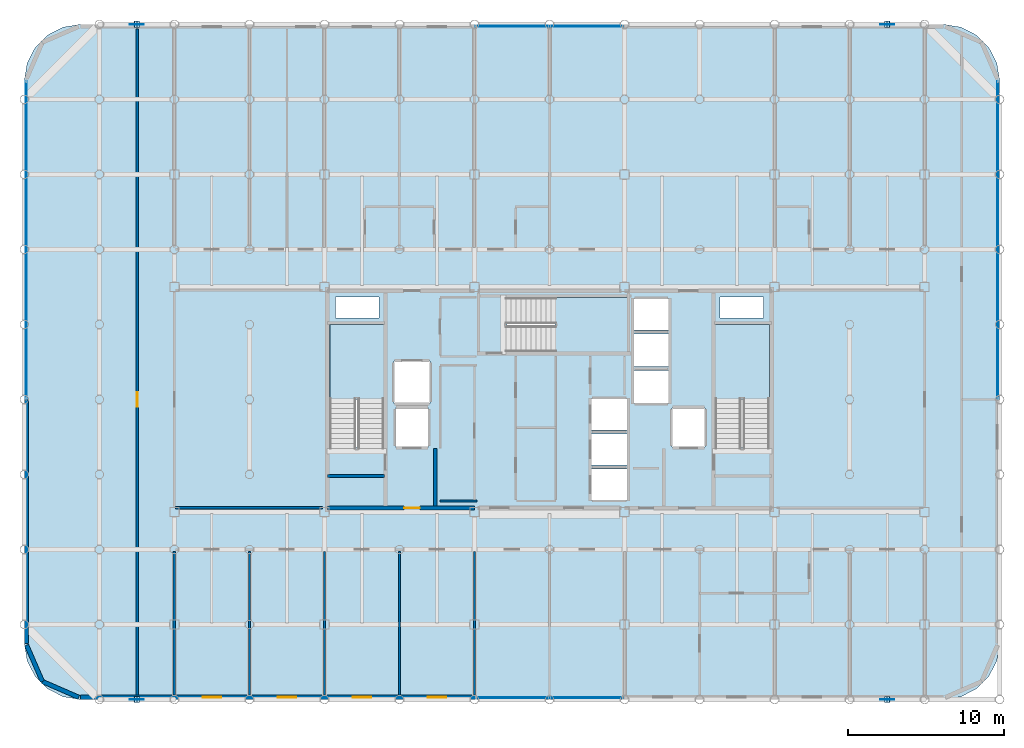
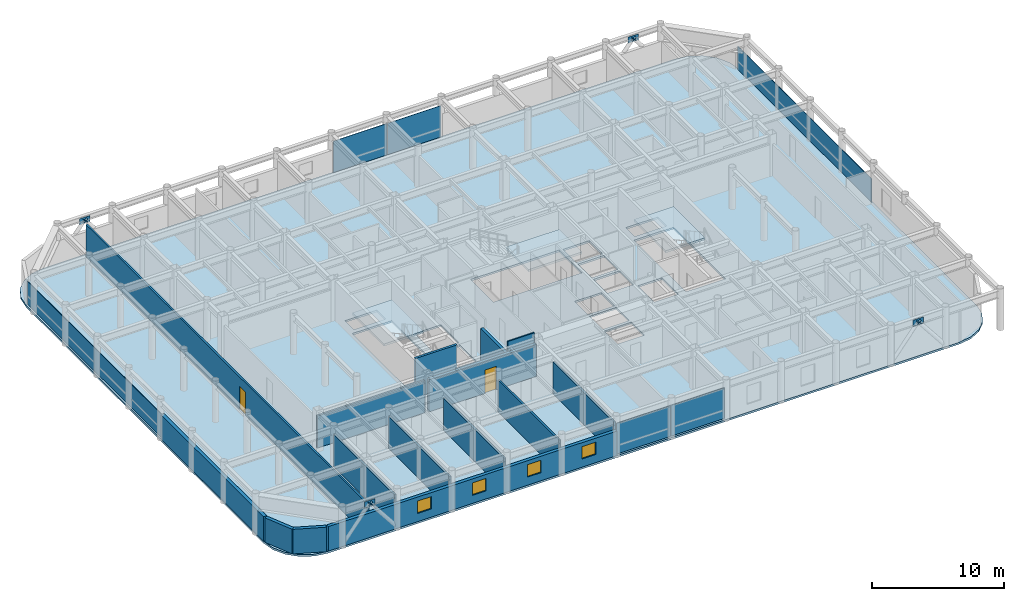
# One storey, part 17 of 22: 18 plates, 15 walls, 4 slabs, 4 windows, 2 doors, 6 openings, 7 elements without a shape of their own.
"""IFC4 building model written with IfcOpenShell, lengths in metres."""

from ifc_helpers import new_model, si_unit, direction, frame, frame_2d, origin, origin_2d, place, context, subcontext, project, spatial, polyline, rectangle, outline, extrude, material, layer, layer_set, type_object, element, fill, aggregate, save


model = new_model("IFC4")

# Units and contexts
model_context = context("Model", 3, precision=1e-05, world=origin(), true_north=direction((0.0, 1.0)))
body_context = subcontext(model_context, "Body", "Model", "MODEL_VIEW")
ifc_project = project(units=[si_unit("LENGTHUNIT", "METRE"), si_unit("AREAUNIT", "SQUARE_METRE"), si_unit("VOLUMEUNIT", "CUBIC_METRE"), si_unit("PLANEANGLEUNIT", "RADIAN"), si_unit("MASSUNIT", "GRAM", prefix="KILO")], contexts=[model_context])

# Site, building, storey
site_placement = place(None, origin())
site = spatial("IfcSite", under=ifc_project, at=site_placement, CompositionType="ELEMENT")
building_placement = place(site_placement, origin())
building = spatial("IfcBuilding", under=site, at=building_placement, Name="Kallvorn Hotel Tower", CompositionType="ELEMENT")
storey_placement = place(building_placement, frame((0.0, 0.0, 253.10009765625)))
storey = spatial("IfcBuildingStorey", under=building, at=storey_placement, Name="L63", CompositionType="ELEMENT", Elevation=253.10009765625)

# Curtain wall, plates
ifc_material_1 = material(Name="Thermally broken black-anodised aluminium AA 6063-T6", Category="aluminium")
ifc_layer_1 = layer(ifc_material_1, 0.22998046875)
ifc_layer_set_1 = layer_set([ifc_layer_1], Name="CW_SYS_5_HOTEL_HIGH")
curtain_wall_type = type_object("IfcCurtainWallType", Name="CW_SYS_5_HOTEL_HIGH", PredefinedType="USERDEFINED", material=ifc_layer_set_1)
curtain_wall_1_placement = place(storey_placement, origin())
curtain_wall_1 = element("IfcCurtainWall", 1, at=curtain_wall_1_placement, inside=storey, type_object=curtain_wall_type, Name="L63 Dark-Glass Curtain Wall CW-L63-SC", ObjectType="UNITISED CURTAIN WALL", PredefinedType="USERDEFINED")
ifc_material_2 = material(Name="Triple-glazed low-e acoustic solar-control dark glass", Category="glass")
ifc_layer_2 = layer(ifc_material_2, 0.04150390625)
ifc_layer_set_2 = layer_set([ifc_layer_2], Name="CW_SYS_5_HOTEL_HIGH_PANEL")
plate_type_1 = type_object("IfcPlateType", Name="CW_SYS_5_HOTEL_HIGH_PANEL", PredefinedType="CURTAIN_PANEL", material=ifc_layer_set_2)
plate_1_placement = place(storey_placement, frame((-2.375, -19.080078125, 0.059814453125), z_axis=(0.0, 0.0, 1.0), x_axis=(1.0, 0.0, 0.0)))
plate_1 = element("IfcPlate", 2, at=plate_1_placement, type_object=plate_type_1, Name="CW-L63-SC Vision Glass Panel 00", PredefinedType="CURTAIN_PANEL", context=body_context, shape_type="SweptSolid", body=[
    extrude(rectangle(XDim=4.68994140625, YDim=0.04150390625, at=origin_2d()), origin(), (0.0, 0.0, 1.0), 2.85009765625),
])
plate_2_placement = place(storey_placement, frame((2.375, -19.080078125, 0.059814453125), z_axis=(0.0, 0.0, 1.0), x_axis=(1.0, 0.0, 0.0)))
plate_2 = element("IfcPlate", 3, at=plate_2_placement, type_object=plate_type_1, Name="CW-L63-SC Vision Glass Panel 01", PredefinedType="CURTAIN_PANEL", context=body_context, shape_type="SweptSolid", body=[
    extrude(rectangle(XDim=4.68994140625, YDim=0.04150390625, at=origin_2d()), origin(), (0.0, 0.0, 1.0), 2.85009765625),
])
aggregate(curtain_wall_1, [plate_1, plate_2])

curtain_wall_2_placement = place(storey_placement, origin())
curtain_wall_2 = element("IfcCurtainWall", 4, at=curtain_wall_2_placement, inside=storey, type_object=curtain_wall_type, Name="L63 Dark-Glass Curtain Wall CW-L63-NC", ObjectType="UNITISED CURTAIN WALL", PredefinedType="USERDEFINED")
plate_3_placement = place(storey_placement, frame((-2.375, 23.8798828125, 0.06005859375), z_axis=(0.0, 0.0, 1.0), x_axis=(1.0, 0.0, 0.0)))
plate_3 = element("IfcPlate", 5, at=plate_3_placement, type_object=plate_type_1, Name="CW-L63-NC Vision Glass Panel 00", PredefinedType="CURTAIN_PANEL", context=body_context, shape_type="SweptSolid", body=[
    extrude(rectangle(XDim=4.68994140625, YDim=0.04150390625, at=origin_2d()), origin(), (0.0, 0.0, 1.0), 2.89990234375),
])
plate_4_placement = place(storey_placement, frame((2.375, 23.8798828125, 0.06005859375), z_axis=(0.0, 0.0, 1.0), x_axis=(1.0, 0.0, 0.0)))
plate_4 = element("IfcPlate", 6, at=plate_4_placement, type_object=plate_type_1, Name="CW-L63-NC Vision Glass Panel 01", PredefinedType="CURTAIN_PANEL", context=body_context, shape_type="SweptSolid", body=[
    extrude(rectangle(XDim=4.68994140625, YDim=0.04150390625, at=origin_2d()), origin(), (0.0, 0.0, 1.0), 2.89990234375),
])
aggregate(curtain_wall_2, [plate_3, plate_4])

# Curtain wall, plate
curtain_wall_3_placement = place(storey_placement, origin())
curtain_wall_3 = element("IfcCurtainWall", 7, at=curtain_wall_3_placement, inside=storey, type_object=curtain_wall_type, Name="L63 Dark-Glass Curtain Wall CW-L63-WN", ObjectType="UNITISED CURTAIN WALL", PredefinedType="USERDEFINED")
plate_5_placement = place(storey_placement, frame((-33.47998046875, 10.2099609375, 0.06005859375), z_axis=(0.0, 0.0, 1.0), x_axis=(0.0, 1.0, 0.0)))
plate_5 = element("IfcPlate", 8, at=plate_5_placement, type_object=plate_type_1, Name="CW-L63-WN Vision Glass Panel 00", PredefinedType="CURTAIN_PANEL", context=body_context, shape_type="SweptSolid", body=[
    extrude(rectangle(XDim=20.320068359375, YDim=0.04150390625, at=origin_2d()), origin(), (0.0, 0.0, 1.0), 2.14990234375),
])
aggregate(curtain_wall_3, [plate_5])

curtain_wall_4_placement = place(storey_placement, origin())
curtain_wall_4 = element("IfcCurtainWall", 9, at=curtain_wall_4_placement, inside=storey, type_object=curtain_wall_type, Name="L63 Dark-Glass Curtain Wall CW-L63-EN", ObjectType="UNITISED CURTAIN WALL", PredefinedType="USERDEFINED")
plate_6_placement = place(storey_placement, frame((28.679931640625, 10.2099609375, 0.06005859375), z_axis=(0.0, 0.0, 1.0), x_axis=(0.0, 1.0, 0.0)))
plate_6 = element("IfcPlate", 10, at=plate_6_placement, type_object=plate_type_1, Name="CW-L63-EN Vision Glass Panel 00", PredefinedType="CURTAIN_PANEL", context=body_context, shape_type="SweptSolid", body=[
    extrude(rectangle(XDim=20.320068359375, YDim=0.04150390625, at=origin_2d()), origin(), (0.0, 0.0, 1.0), 2.14990234375),
])
aggregate(curtain_wall_4, [plate_6])

# Plates
ifc_material_3 = material(Name="Structural steel S355JR", Category="steel")
ifc_layer_3 = layer(ifc_material_3, 0.030029296875)
ifc_layer_set_3 = layer_set([ifc_layer_3], Name="PLT_CAP_30")
plate_type_2 = type_object("IfcPlateType", Name="PLT_CAP_30", PredefinedType="SHEET", material=ifc_layer_set_3)
plate_7_placement = place(storey_placement, frame((-26.235595703125, -19.40185546875, 3.09228515625), z_axis=(0.621074629096, 0.0, 0.78375143068), x_axis=(0.0, 1.0, 0.0)))
element("IfcPlate", 11, at=plate_7_placement, inside=storey, type_object=plate_type_2, Name="EXO-L63-S1A End Cap Plate B", PredefinedType="SHEET", context=body_context, shape_type="SweptSolid", body=[
    extrude(outline(polyline([(0.0, 0.0), (0.40380859375, 0.0), (0.40380859375, 0.4037073970320156), (0.0, 0.4037073970320156), (0.0, 0.0)])), origin(), (0.0, 0.0, -1.0), 0.030029296875),
])
plate_8_placement = place(storey_placement, frame((-26.564453125, -18.998046875, 3.09228515625), z_axis=(-0.620780353498, 0.0, 0.783984536015), x_axis=(0.0, -1.0, 0.0)))
element("IfcPlate", 12, at=plate_8_placement, inside=storey, type_object=plate_type_2, Name="EXO-L63-S1B End Cap Plate B", PredefinedType="SHEET", context=body_context, shape_type="SweptSolid", body=[
    extrude(outline(polyline([(0.0, 0.0), (0.40380859375, 0.0), (0.40380859375, 0.40389877105813043), (0.0, 0.40389877105813043), (0.0, 0.0)])), origin(), (0.0, 0.0, -1.0), 0.030029296875),
])
plate_9_placement = place(storey_placement, frame((21.764404296875, -19.40185546875, 3.09228515625), z_axis=(0.621074629096, 0.0, 0.78375143068), x_axis=(0.0, 1.0, 0.0)))
element("IfcPlate", 13, at=plate_9_placement, inside=storey, type_object=plate_type_2, Name="EXO-L63-S2A End Cap Plate B", PredefinedType="SHEET", context=body_context, shape_type="SweptSolid", body=[
    extrude(outline(polyline([(0.0, 0.0), (0.40380859375, 0.0), (0.40380859375, 0.4037073970320156), (0.0, 0.4037073970320156), (0.0, 0.0)])), origin(), (0.0, 0.0, -1.0), 0.030029296875),
])
plate_10_placement = place(storey_placement, frame((21.435546875, -18.998046875, 3.09228515625), z_axis=(-0.620780353498, 0.0, 0.783984536015), x_axis=(0.0, -1.0, 0.0)))
element("IfcPlate", 14, at=plate_10_placement, inside=storey, type_object=plate_type_2, Name="EXO-L63-S2B End Cap Plate B", PredefinedType="SHEET", context=body_context, shape_type="SweptSolid", body=[
    extrude(outline(polyline([(0.0, 0.0), (0.40380859375, 0.0), (0.40380859375, 0.40389877105813043), (0.0, 0.40389877105813043), (0.0, 0.0)])), origin(), (0.0, 0.0, -1.0), 0.030029296875),
])
plate_11_placement = place(storey_placement, frame((-26.235595703125, 23.798095703125, 3.09228515625), z_axis=(0.621074629096, 0.0, 0.78375143068), x_axis=(0.0, 1.0, 0.0)))
element("IfcPlate", 15, at=plate_11_placement, inside=storey, type_object=plate_type_2, Name="EXO-L63-N1A End Cap Plate B", PredefinedType="SHEET", context=body_context, shape_type="SweptSolid", body=[
    extrude(outline(polyline([(0.0, 0.0), (0.40380859375, 0.0), (0.40380859375, 0.4037073970320156), (0.0, 0.4037073970320156), (0.0, 0.0)])), origin(), (0.0, 0.0, -1.0), 0.030029296875),
])
plate_12_placement = place(storey_placement, frame((-26.564453125, 24.201904296875, 3.09228515625), z_axis=(-0.620780353498, 0.0, 0.783984536015), x_axis=(0.0, -1.0, 0.0)))
element("IfcPlate", 16, at=plate_12_placement, inside=storey, type_object=plate_type_2, Name="EXO-L63-N1B End Cap Plate B", PredefinedType="SHEET", context=body_context, shape_type="SweptSolid", body=[
    extrude(outline(polyline([(0.0, 0.0), (0.40380859375, 0.0), (0.40380859375, 0.40389877105813043), (0.0, 0.40389877105813043), (0.0, 0.0)])), origin(), (0.0, 0.0, -1.0), 0.030029296875),
])
plate_13_placement = place(storey_placement, frame((21.764404296875, 23.798095703125, 3.09228515625), z_axis=(0.621074629096, 0.0, 0.78375143068), x_axis=(0.0, 1.0, 0.0)))
element("IfcPlate", 17, at=plate_13_placement, inside=storey, type_object=plate_type_2, Name="EXO-L63-N2A End Cap Plate B", PredefinedType="SHEET", context=body_context, shape_type="SweptSolid", body=[
    extrude(outline(polyline([(0.0, 0.0), (0.40380859375, 0.0), (0.40380859375, 0.4037073970320156), (0.0, 0.4037073970320156), (0.0, 0.0)])), origin(), (0.0, 0.0, -1.0), 0.030029296875),
])
plate_14_placement = place(storey_placement, frame((21.435546875, 24.201904296875, 3.09228515625), z_axis=(-0.620780353498, 0.0, 0.783984536015), x_axis=(0.0, -1.0, 0.0)))
element("IfcPlate", 18, at=plate_14_placement, inside=storey, type_object=plate_type_2, Name="EXO-L63-N2B End Cap Plate B", PredefinedType="SHEET", context=body_context, shape_type="SweptSolid", body=[
    extrude(outline(polyline([(0.0, 0.0), (0.40380859375, 0.0), (0.40380859375, 0.40389877105813043), (0.0, 0.40389877105813043), (0.0, 0.0)])), origin(), (0.0, 0.0, -1.0), 0.030029296875),
])
ifc_material_4 = material(Name="Structural steel S355JR", Category="steel")
ifc_layer_4 = layer(ifc_material_4, 0.034912109375)
ifc_layer_set_4 = layer_set([ifc_layer_4], Name="PLT_GUSSET_35")
plate_type_3 = type_object("IfcPlateType", Name="PLT_GUSSET_35", PredefinedType="USERDEFINED", material=ifc_layer_set_4)
for number, where, z_axis, x_axis, name in (
    (19, (-26.39990234375, -19.199951171875, 2.889892578125), (0.0, 0.0, 1.0), (1.0, 0.0, 0.0), "L63 Exoskeleton Node Gusset S1"),
    (20, (21.60009765625, -19.199951171875, 2.889892578125), (0.0, 0.0, 1.0), (1.0, 0.0, 0.0), "L63 Exoskeleton Node Gusset S2"),
    (21, (-26.39990234375, 24.0, 2.889892578125), (0.0, 0.0, 1.0), (1.0, 0.0, 0.0), "L63 Exoskeleton Node Gusset N1"),
    (22, (21.60009765625, 24.0, 2.889892578125), (0.0, 0.0, 1.0), (1.0, 0.0, 0.0), "L63 Exoskeleton Node Gusset N2"),
):
    element("IfcPlate", number, at=place(storey_placement, frame(where, z_axis=z_axis, x_axis=x_axis)), inside=storey, type_object=plate_type_3, Name=name, ObjectType="GUSSET PLATE", PredefinedType="USERDEFINED", context=body_context, shape_type="SweptSolid", body=[
        extrude(rectangle(XDim=0.89990234375, YDim=0.034912109375, at=origin_2d()), origin(), (0.0, 0.0, 1.0), 0.56005859375),
    ])

# Stair, slab
ifc_material_5 = material(Name="Precast concrete C40/50", Category="concrete")
stair_type = type_object("IfcStairType", Name="STR_CORE_DOGLEG", PredefinedType="HALF_TURN_STAIR", material=ifc_material_5)
stair_1_placement = place(storey_placement, origin())
stair_1 = element("IfcStair", 23, at=stair_1_placement, inside=storey, type_object=stair_type, Name="L63 Exit stair ST1", PredefinedType="HALF_TURN_STAIR")
ifc_material_6 = material(Name="Precast concrete C40/50", Category="concrete")
ifc_layer_5 = layer(ifc_material_6, 0.179931640625)
ifc_layer_set_5 = layer_set([ifc_layer_5], Name="SLB_LANDING_180")
slab_type_1 = type_object("IfcSlabType", Name="SLB_LANDING_180", PredefinedType="LANDING", material=ifc_layer_set_5)
slab_1_placement = place(storey_placement, frame((0.0, 0.0, 1.724853515625)))
slab_1 = element("IfcSlab", 24, at=slab_1_placement, type_object=slab_type_1, Name="ST1 landing 1", PredefinedType="LANDING", context=body_context, shape_type="SweptSolid", body=[
    extrude(outline(polyline([(-10.60009765625, 0.010009765625), (-10.60009765625, 4.800048828125), (-14.06005859375, 4.800048828125), (-14.06005859375, 0.010009765625), (-10.60009765625, 0.010009765625)])), origin(), (0.0, 0.0, 1.0), 0.199951171875),
])
aggregate(stair_1, [slab_1])

stair_2_placement = place(storey_placement, origin())
stair_2 = element("IfcStair", 25, at=stair_2_placement, inside=storey, type_object=stair_type, Name="L63 Exit stair ST2", PredefinedType="HALF_TURN_STAIR")
slab_2_placement = place(storey_placement, frame((0.0, 0.0, 1.724853515625)))
slab_2 = element("IfcSlab", 26, at=slab_2_placement, type_object=slab_type_1, Name="ST2 landing 1", PredefinedType="LANDING", context=body_context, shape_type="SweptSolid", body=[
    extrude(outline(polyline([(14.06005859375, 0.010009765625), (14.06005859375, 4.800048828125), (10.60009765625, 4.800048828125), (10.60009765625, 0.010009765625), (14.06005859375, 0.010009765625)])), origin(), (0.0, 0.0, 1.0), 0.199951171875),
])
aggregate(stair_2, [slab_2])

stair_3_placement = place(storey_placement, origin())
stair_3 = element("IfcStair", 27, at=stair_3_placement, inside=storey, type_object=stair_type, Name="L63 Exit stair ST3", PredefinedType="HALF_TURN_STAIR")
slab_3_placement = place(storey_placement, frame((0.0, 0.0, 1.724853515625)))
slab_3 = element("IfcSlab", 28, at=slab_3_placement, type_object=slab_type_1, Name="ST3 landing 1", PredefinedType="LANDING", context=body_context, shape_type="SweptSolid", body=[
    extrude(outline(polyline([(0.360107421875, 3.050048828125), (5.050048828125, 3.050048828125), (5.050048828125, 6.510009765625), (0.360107421875, 6.510009765625), (0.360107421875, 3.050048828125)])), origin(), (0.0, 0.0, 1.0), 0.199951171875),
])
aggregate(stair_3, [slab_3])

# Slab
ifc_material_7 = material(Name="Concrete C40/50", Category="concrete")
ifc_layer_6 = layer(ifc_material_7, 0.179931640625)
ifc_layer_set_6 = layer_set([ifc_layer_6], Name="SLB_TOWER_180")
slab_type_2 = type_object("IfcSlabType", Name="SLB_TOWER_180", PredefinedType="FLOOR", material=ifc_layer_set_6)
slab_4_placement = place(storey_placement, frame((0.0, 0.0, -0.18017578125)))
element("IfcSlab", 29, at=slab_4_placement, inside=storey, type_object=slab_type_2, Name="L63 Structural Floor Slab", PredefinedType="FLOOR", context=body_context, shape_type="SweptSolid", body=[
    extrude(outline(polyline([(25.199951171875, -19.199951171875), (26.3125, -19.023681640625), (27.31591796875, -18.512451171875), (28.112548828125, -17.716064453125), (28.623779296875, -16.71240234375), (28.800048828125, -15.60009765625), (28.800048828125, 20.39990234375), (28.623779296875, 21.512451171875), (28.112548828125, 22.51611328125), (27.31591796875, 23.3125), (26.3125, 23.82373046875), (25.199951171875, 24.0), (-30.0, 24.0), (-31.112548828125, 23.82373046875), (-32.115966796875, 23.3125), (-32.91259765625, 22.51611328125), (-33.423828125, 21.512451171875), (-33.60009765625, 20.39990234375), (-33.60009765625, -15.60009765625), (-33.423828125, -16.71240234375), (-32.91259765625, -17.716064453125), (-32.115966796875, -18.512451171875), (-31.112548828125, -19.023681640625), (-30.0, -19.199951171875), (25.199951171875, -19.199951171875)]), holes=[polyline([(-10.60009765625, -3.070068359375), (-10.60009765625, 4.800048828125), (-14.06005859375, 4.800048828125), (-14.06005859375, -3.070068359375), (-10.60009765625, -3.070068359375)]), polyline([(14.06005859375, -3.070068359375), (14.06005859375, 4.800048828125), (10.60009765625, 4.800048828125), (10.60009765625, -3.070068359375), (14.06005859375, -3.070068359375)]), polyline([(-2.719970703125, 3.050048828125), (5.050048828125, 3.050048828125), (5.050048828125, 6.510009765625), (-2.719970703125, 6.510009765625), (-2.719970703125, 3.050048828125)]), polyline([(2.64990234375, -6.449951171875), (5.0, -6.449951171875), (5.0, -4.449951171875), (2.64990234375, -4.449951171875), (2.64990234375, -6.449951171875)]), polyline([(2.64990234375, -4.199951171875), (5.0, -4.199951171875), (5.0, -2.199951171875), (2.64990234375, -2.199951171875), (2.64990234375, -4.199951171875)]), polyline([(2.64990234375, -1.949951171875), (5.0, -1.949951171875), (5.0, 0.050048828125), (2.64990234375, 0.050048828125), (2.64990234375, -1.949951171875)]), polyline([(5.35009765625, -0.25), (7.64990234375, -0.25), (7.64990234375, 1.85009765625), (5.35009765625, 1.85009765625), (5.35009765625, -0.25)]), polyline([(5.35009765625, 2.10009765625), (7.64990234375, 2.10009765625), (7.64990234375, 4.199951171875), (5.35009765625, 4.199951171875), (5.35009765625, 2.10009765625)]), polyline([(5.35009765625, 4.449951171875), (7.64990234375, 4.449951171875), (7.64990234375, 6.449951171875), (5.35009765625, 6.449951171875), (5.35009765625, 4.449951171875)]), polyline([(-9.85009765625, -3.050048828125), (-7.75, -3.050048828125), (-7.75, -0.550048828125), (-9.85009765625, -0.550048828125), (-9.85009765625, -3.050048828125)]), polyline([(7.85009765625, -3.050048828125), (9.949951171875, -3.050048828125), (9.949951171875, -0.550048828125), (7.85009765625, -0.550048828125), (7.85009765625, -3.050048828125)]), polyline([(-9.949951171875, -0.25), (-7.64990234375, -0.25), (-7.64990234375, 2.449951171875), (-9.949951171875, 2.449951171875), (-9.949951171875, -0.25)]), polyline([(-13.699951171875, 5.199951171875), (-10.89990234375, 5.199951171875), (-10.89990234375, 6.550048828125), (-13.699951171875, 6.550048828125), (-13.699951171875, 5.199951171875)]), polyline([(10.89990234375, 5.199951171875), (13.699951171875, 5.199951171875), (13.699951171875, 6.550048828125), (10.89990234375, 6.550048828125), (10.89990234375, 5.199951171875)])]), origin(), (0.0, 0.0, 1.0), 0.18017578125),
])

# Walls
ifc_material_8 = material(Name="Precast basalt-clad insulated concrete wall C40/50", Category="masonry")
ifc_layer_7 = layer(ifc_material_8, 0.280029296875)
ifc_layer_set_7 = layer_set([ifc_layer_7], Name="WL_EXT_LOGGIA_280")
wall_type_1 = type_object("IfcWallType", Name="WL_EXT_LOGGIA_280", PredefinedType="SOLIDWALL", material=ifc_layer_set_7)
wall_1_placement = place(storey_placement, frame((-33.4580078125, -15.720703125, 0.0), z_axis=(0.0, 0.0, 1.0), x_axis=(0.398792985289, -0.917040977756, 0.0)))
element("IfcWall", 30, at=wall_1_placement, inside=storey, type_object=wall_type_1, Name="L63 Rounded Corner Exterior Wall SW1", PredefinedType="SOLIDWALL", context=body_context, shape_type="SweptSolid", body=[
    extrude(rectangle(XDim=2.536376953125, YDim=0.280029296875, at=frame_2d((1.26806640625, 0.0))), origin(), (0.0, 0.0, 1.0), 2.27001953125),
])
wall_2_placement = place(storey_placement, frame((-32.446533203125, -18.046630859375, 0.0), z_axis=(0.0, 0.0, 1.0), x_axis=(0.917060872934, -0.398747232384, 0.0)))
element("IfcWall", 31, at=wall_2_placement, inside=storey, type_object=wall_type_1, Name="L63 Rounded Corner Exterior Wall SW2", PredefinedType="SOLIDWALL", context=body_context, shape_type="SweptSolid", body=[
    extrude(rectangle(XDim=2.5361328125, YDim=0.280029296875, at=frame_2d((1.26806640625, 0.0))), origin(), (0.0, 0.0, 1.0), 2.27001953125),
])

# Wall, openings, windows
wall_3_placement = place(storey_placement, frame((-30.0, -19.06005859375, 0.0), z_axis=(0.0, 0.0, 1.0), x_axis=(1.0, 0.0, 0.0)))
wall_3 = element("IfcWall", 32, at=wall_3_placement, inside=storey, type_object=wall_type_1, Name="L63 Exterior Envelope Wall EW-L63-SW", PredefinedType="SOLIDWALL", context=body_context, shape_type="SweptSolid", body=[
    extrude(rectangle(XDim=25.25, YDim=0.280029296875, at=frame_2d((12.625, 0.0))), origin(), (0.0, 0.0, 1.0), 2.27001953125),
])
opening_1_placement = place(wall_3_placement, frame((7.800048828125, 0.0, 0.75)))
opening_1 = element("IfcOpeningElement", 33, at=opening_1_placement, cuts=wall_3, Name="Opening W06A", PredefinedType="OPENING", context=body_context, shape_type="SweptSolid", body=[
    extrude(rectangle(XDim=1.199951171875, YDim=1.14990234375, at=frame_2d((0.60009765625, 0.574951171875))), frame((0.0, 0.155029296875, 0.0), z_axis=(0.0, -1.0, 0.0), x_axis=(1.0, 0.0, 0.0)), (0.0, 0.0, 1.0), 0.31005859375),
])
opening_2_placement = place(wall_3_placement, frame((12.60009765625, 0.0, 0.75)))
opening_2 = element("IfcOpeningElement", 34, at=opening_2_placement, cuts=wall_3, Name="Opening W06A", PredefinedType="OPENING", context=body_context, shape_type="SweptSolid", body=[
    extrude(rectangle(XDim=1.199951171875, YDim=1.14990234375, at=frame_2d((0.60009765625, 0.574951171875))), frame((0.0, 0.155029296875, 0.0), z_axis=(0.0, -1.0, 0.0), x_axis=(1.0, 0.0, 0.0)), (0.0, 0.0, 1.0), 0.31005859375),
])
opening_3_placement = place(wall_3_placement, frame((17.39990234375, 0.0, 0.75)))
opening_3 = element("IfcOpeningElement", 35, at=opening_3_placement, cuts=wall_3, Name="Opening W06A", PredefinedType="OPENING", context=body_context, shape_type="SweptSolid", body=[
    extrude(rectangle(XDim=1.199951171875, YDim=1.14990234375, at=frame_2d((0.60009765625, 0.574951171875))), frame((0.0, 0.155029296875, 0.0), z_axis=(0.0, -1.0, 0.0), x_axis=(1.0, 0.0, 0.0)), (0.0, 0.0, 1.0), 0.31005859375),
])
opening_4_placement = place(wall_3_placement, frame((22.199951171875, 0.0, 0.75)))
opening_4 = element("IfcOpeningElement", 36, at=opening_4_placement, cuts=wall_3, Name="Opening W06A", PredefinedType="OPENING", context=body_context, shape_type="SweptSolid", body=[
    extrude(rectangle(XDim=1.199951171875, YDim=1.14990234375, at=frame_2d((0.60009765625, 0.574951171875))), frame((0.0, 0.155029296875, 0.0), z_axis=(0.0, -1.0, 0.0), x_axis=(1.0, 0.0, 0.0)), (0.0, 0.0, 1.0), 0.31005859375),
])
ifc_material_9 = material(Name="Triple-glazed low-e acoustic solar-control dark glass", Category="glass")
window_type = type_object("IfcWindowType", Name="WN_HTL_1200x1150", PartitioningType="SINGLE_PANEL", PredefinedType="WINDOW", material=ifc_material_9)
window_1_placement = place(opening_1_placement, origin())
window_1 = element("IfcWindow", 37, at=window_1_placement, inside=storey, type_object=window_type, Name="L63 Guestroom Exterior Window 01", OverallHeight=1.14990234375, OverallWidth=1.199951171875, PartitioningType="SINGLE_PANEL", PredefinedType="WINDOW", context=body_context, shape_type="SweptSolid", body=[
    extrude(rectangle(XDim=1.199951171875, YDim=1.14990234375, at=frame_2d((0.60009765625, 0.574951171875))), frame((0.0, 0.030029296875, 0.0), z_axis=(0.0, -1.0, 0.0), x_axis=(1.0, 0.0, 0.0)), (0.0, 0.0, 1.0), 0.06005859375),
])
fill(opening_1, window_1)
window_2_placement = place(opening_2_placement, origin())
window_2 = element("IfcWindow", 38, at=window_2_placement, inside=storey, type_object=window_type, Name="L63 Guestroom Exterior Window 04", OverallHeight=1.14990234375, OverallWidth=1.199951171875, PartitioningType="SINGLE_PANEL", PredefinedType="WINDOW", context=body_context, shape_type="SweptSolid", body=[
    extrude(rectangle(XDim=1.199951171875, YDim=1.14990234375, at=frame_2d((0.60009765625, 0.574951171875))), frame((0.0, 0.030029296875, 0.0), z_axis=(0.0, -1.0, 0.0), x_axis=(1.0, 0.0, 0.0)), (0.0, 0.0, 1.0), 0.06005859375),
])
fill(opening_2, window_2)
window_3_placement = place(opening_3_placement, origin())
window_3 = element("IfcWindow", 39, at=window_3_placement, inside=storey, type_object=window_type, Name="L63 Guestroom Exterior Window 05", OverallHeight=1.14990234375, OverallWidth=1.199951171875, PartitioningType="SINGLE_PANEL", PredefinedType="WINDOW", context=body_context, shape_type="SweptSolid", body=[
    extrude(rectangle(XDim=1.199951171875, YDim=1.14990234375, at=frame_2d((0.60009765625, 0.574951171875))), frame((0.0, 0.030029296875, 0.0), z_axis=(0.0, -1.0, 0.0), x_axis=(1.0, 0.0, 0.0)), (0.0, 0.0, 1.0), 0.06005859375),
])
fill(opening_3, window_3)
window_4_placement = place(opening_4_placement, origin())
window_4 = element("IfcWindow", 40, at=window_4_placement, inside=storey, type_object=window_type, Name="L63 Guestroom Exterior Window 06", OverallHeight=1.14990234375, OverallWidth=1.199951171875, PartitioningType="SINGLE_PANEL", PredefinedType="WINDOW", context=body_context, shape_type="SweptSolid", body=[
    extrude(rectangle(XDim=1.199951171875, YDim=1.14990234375, at=frame_2d((0.60009765625, 0.574951171875))), frame((0.0, 0.030029296875, 0.0), z_axis=(0.0, -1.0, 0.0), x_axis=(1.0, 0.0, 0.0)), (0.0, 0.0, 1.0), 0.06005859375),
])
fill(opening_4, window_4)

# Walls
wall_4_placement = place(storey_placement, frame((-33.4599609375, -15.60009765625, 0.0), z_axis=(0.0, 0.0, 1.0), x_axis=(0.0, 1.0, 0.0)))
element("IfcWall", 41, at=wall_4_placement, inside=storey, type_object=wall_type_1, Name="L63 Exterior Envelope Wall EW-L63-WS", PredefinedType="SOLIDWALL", context=body_context, shape_type="SweptSolid", body=[
    extrude(rectangle(XDim=15.580078125, YDim=0.280029296875, at=frame_2d((7.7900390625, 0.0))), origin(), (0.0, 0.0, 1.0), 2.27001953125),
])
ifc_material_10 = material(Name="Concrete C40/50", Category="concrete")
ifc_layer_8 = layer(ifc_material_10, 0.219970703125)
ifc_layer_set_8 = layer_set([ifc_layer_8], Name="WL_FFL_220")
wall_type_2 = type_object("IfcWallType", Name="WL_FFL_220", PredefinedType="SOLIDWALL", material=ifc_layer_set_8)
wall_5_placement = place(storey_placement, frame((-7.300048828125, -6.820068359375, 0.0), z_axis=(0.0, 0.0, 1.0), x_axis=(0.0, 1.0, 0.0)))
element("IfcWall", 42, at=wall_5_placement, inside=storey, type_object=wall_type_2, Name="L63 Firefighting Lobby West Divider Wall", PredefinedType="SOLIDWALL", context=body_context, shape_type="SweptSolid", body=[
    extrude(rectangle(XDim=3.670166015625, YDim=0.219970703125, at=frame_2d((1.8349609375, 0.0))), origin(), (0.0, 0.0, 1.0), 2.969970703125),
])
ifc_material_11 = material(Name="Concrete C40/50", Category="concrete")
ifc_layer_9 = layer(ifc_material_11, 0.199951171875)
ifc_layer_set_9 = layer_set([ifc_layer_9], Name="WL_HOIST_200")
wall_type_3 = type_object("IfcWallType", Name="WL_HOIST_200", PredefinedType="SOLIDWALL", material=ifc_layer_set_9)
wall_6_placement = place(storey_placement, frame((-14.199951171875, -4.89990234375, -0.18017578125), z_axis=(0.0, 0.0, 1.0), x_axis=(1.0, 0.0, 0.0)))
element("IfcWall", 43, at=wall_6_placement, inside=storey, type_object=wall_type_3, Name="L63 Stair ST1 South Wall", PredefinedType="SOLIDWALL", context=body_context, shape_type="SweptSolid", body=[
    extrude(rectangle(XDim=3.64990234375, YDim=0.199951171875, at=frame_2d((1.824951171875, 0.0))), origin(), (0.0, 0.0, 1.0), 3.85009765625),
])
ifc_material_12 = material(Name="Fire-rated double-layer acoustic gypsum drywall EI 60")
ifc_layer_10 = layer(ifc_material_12, 0.1201171875)
ifc_layer_set_10 = layer_set([ifc_layer_10], Name="WL_INT_120")
wall_type_4 = type_object("IfcWallType", Name="WL_INT_120", PredefinedType="PARTITIONING", material=ifc_layer_set_10)
wall_7_placement = place(storey_placement, frame((-7.0, -6.5, 0.0), z_axis=(0.0, 0.0, 1.0), x_axis=(1.0, 0.0, 0.0)))
element("IfcWall", 44, at=wall_7_placement, inside=storey, type_object=wall_type_4, Name="L63 Recaptured Butler and Room-Service Pantry Partition", PredefinedType="PARTITIONING", context=body_context, shape_type="SweptSolid", body=[
    extrude(rectangle(XDim=2.35009765625, YDim=0.1201171875, at=frame_2d((1.175048828125, 0.0))), origin(), (0.0, 0.0, 1.0), 3.669921875),
])
ifc_material_13 = material(Name="Fire-rated double-layer acoustic gypsum drywall EI 60")
ifc_layer_11 = layer(ifc_material_13, 0.14990234375)
ifc_layer_set_11 = layer_set([ifc_layer_11], Name="WL_PART_150")
wall_type_5 = type_object("IfcWallType", Name="WL_PART_150", PredefinedType="PARTITIONING", material=ifc_layer_set_11)
wall_8_placement = place(storey_placement, frame((-23.919921875, -6.919921875, 0.0), z_axis=(0.0, 0.0, 1.0), x_axis=(1.0, 0.0, 0.0)))
element("IfcWall", 45, at=wall_8_placement, inside=storey, type_object=wall_type_5, Name="L63 L63 High-Zone Inner West Club Bar Partition", PredefinedType="PARTITIONING", context=body_context, shape_type="SweptSolid", body=[
    extrude(rectangle(XDim=9.39990234375, YDim=0.14990234375, at=frame_2d((4.699951171875, 0.0))), origin(), (0.0, 0.0, 1.0), 2.969970703125),
])

# Wall, opening, door
wall_9_placement = place(storey_placement, frame((-26.3798828125, -18.909912109375, 0.0), z_axis=(0.0, 0.0, 1.0), x_axis=(0.0, 1.0, 0.0)))
wall_9 = element("IfcWall", 46, at=wall_9_placement, inside=storey, type_object=wall_type_5, Name="L63 L63 Outer West Sky Observatory Salon Partition", PredefinedType="PARTITIONING", context=body_context, shape_type="SweptSolid", body=[
    extrude(rectangle(XDim=42.619873046875, YDim=0.14990234375, at=frame_2d((21.31005859375, 0.0))), origin(), (0.0, 0.0, 1.0), 2.969970703125),
])
opening_5_placement = place(wall_9_placement, frame((18.4599609375, 0.0, 0.0)))
opening_5 = element("IfcOpeningElement", 47, at=opening_5_placement, cuts=wall_9, Name="Opening SVD1", PredefinedType="OPENING", context=body_context, shape_type="SweptSolid", body=[
    extrude(rectangle(XDim=0.89990234375, YDim=2.10009765625, at=frame_2d((0.449951171875, 1.050048828125))), frame((0.0, 0.08984375, 0.0), z_axis=(0.0, -1.0, 0.0), x_axis=(1.0, 0.0, 0.0)), (0.0, 0.0, 1.0), 0.179931640625),
])
ifc_material_14 = material(Name="Galvanised painted steel fire-rated door assembly", Category="steel")
door_type_1 = type_object("IfcDoorType", Name="DR_SERV_900x2100", OperationType="NOTDEFINED", PredefinedType="DOOR", material=ifc_material_14)
door_1_placement = place(opening_5_placement, origin())
door_1 = element("IfcDoor", 48, at=door_1_placement, inside=storey, type_object=door_type_1, Name="L63 L63 Outer West Sky Observatory Salon Door", OperationType="SINGLE_SWING_LEFT", OverallHeight=2.10009765625, OverallWidth=0.89990234375, PredefinedType="DOOR", context=body_context, shape_type="SweptSolid", body=[
    extrude(rectangle(XDim=0.89990234375, YDim=2.10009765625, at=frame_2d((0.449951171875, 1.050048828125))), frame((0.0, 0.02490234375, 0.0), z_axis=(0.0, -1.0, 0.0), x_axis=(1.0, 0.0, 0.0)), (0.0, 0.0, 1.0), 0.050048828125),
])
fill(opening_5, door_1)

# Walls
for number, where, z_axis, x_axis, name in (
    (49, (-24.0, -18.909912109375, 0.0), (0.0, 0.0, 1.0), (0.0, 1.0, 0.0), "L63 L63 High-Zone South-West Tea Bar Partition"),
    (50, (-19.199951171875, -18.909912109375, 0.0), (0.0, 0.0, 1.0), (0.0, 1.0, 0.0), "L63 L63 Executive Co-Working Open-Plan Office 1-1 Partition"),
    (51, (-14.39990234375, -18.909912109375, 0.0), (0.0, 0.0, 1.0), (0.0, 1.0, 0.0), "L63 L63 Executive Co-Working Open-Plan Office 1-1 Partition"),
    (52, (-9.60009765625, -18.909912109375, 0.0), (0.0, 0.0, 1.0), (0.0, 1.0, 0.0), "L63 L63 Executive Co-Working Open-Plan Office 1-2 Partition"),
    (53, (-4.800048828125, -18.909912109375, 0.0), (0.0, 0.0, 1.0), (0.0, 1.0, 0.0), "L63 L63 Diplomatic Summit Conference Boardroom 2-1 Partition"),
):
    element("IfcWall", number, at=place(storey_placement, frame(where, z_axis=z_axis, x_axis=x_axis)), inside=storey, type_object=wall_type_5, Name=name, PredefinedType="PARTITIONING", context=body_context, shape_type="SweptSolid", body=[
        extrude(rectangle(XDim=9.18994140625, YDim=0.14990234375, at=frame_2d((4.594970703125, 0.0))), origin(), (0.0, 0.0, 1.0), 2.969970703125),
    ])

# Wall, opening, door
ifc_material_15 = material(Name="Concrete C40/50", Category="concrete")
ifc_layer_12 = layer(ifc_material_15, 0.25)
ifc_layer_set_12 = layer_set([ifc_layer_12], Name="WL_SHAFT_250")
wall_type_6 = type_object("IfcWallType", Name="WL_SHAFT_250", PredefinedType="SOLIDWALL", material=ifc_layer_set_12)
wall_10_placement = place(storey_placement, frame((-14.199951171875, -6.949951171875, 0.0), z_axis=(0.0, 0.0, 1.0), x_axis=(1.0, 0.0, 0.0)))
wall_10 = element("IfcWall", 54, at=wall_10_placement, inside=storey, type_object=wall_type_6, Name="L63 Core South-West Wall", PredefinedType="SOLIDWALL", context=body_context, shape_type="SweptSolid", body=[
    extrude(rectangle(XDim=9.39990234375, YDim=0.25, at=frame_2d((4.699951171875, 0.0))), origin(), (0.0, 0.0, 1.0), 2.969970703125),
])
opening_6_placement = place(wall_10_placement, frame((4.89990234375, 0.0, 0.0)))
opening_6 = element("IfcOpeningElement", 55, at=opening_6_placement, cuts=wall_10, Name="Opening FD1", PredefinedType="OPENING", context=body_context, shape_type="SweptSolid", body=[
    extrude(rectangle(XDim=1.0, YDim=2.14990234375, at=frame_2d((0.5, 1.074951171875))), frame((0.0, 0.139892578125, 0.0), z_axis=(0.0, -1.0, 0.0), x_axis=(1.0, 0.0, 0.0)), (0.0, 0.0, 1.0), 0.280029296875),
])
ifc_material_16 = material(Name="Galvanised painted steel fire-rated door assembly", Category="steel")
door_type_2 = type_object("IfcDoorType", Name="DR_FFL_1000x2150", OperationType="NOTDEFINED", PredefinedType="DOOR", material=ifc_material_16)
door_2_placement = place(opening_6_placement, origin())
door_2 = element("IfcDoor", 56, at=door_2_placement, inside=storey, type_object=door_type_2, Name="L63 Firefighting Lobby West Door", OperationType="SINGLE_SWING_LEFT", OverallHeight=2.14990234375, OverallWidth=1.0, PredefinedType="DOOR", context=body_context, shape_type="SweptSolid", body=[
    extrude(rectangle(XDim=1.0, YDim=2.14990234375, at=frame_2d((0.5, 1.074951171875))), frame((0.0, 0.02490234375, 0.0), z_axis=(0.0, -1.0, 0.0), x_axis=(1.0, 0.0, 0.0)), (0.0, 0.0, 1.0), 0.050048828125),
])
fill(opening_6, door_2)

save(model, "model.ifc")
